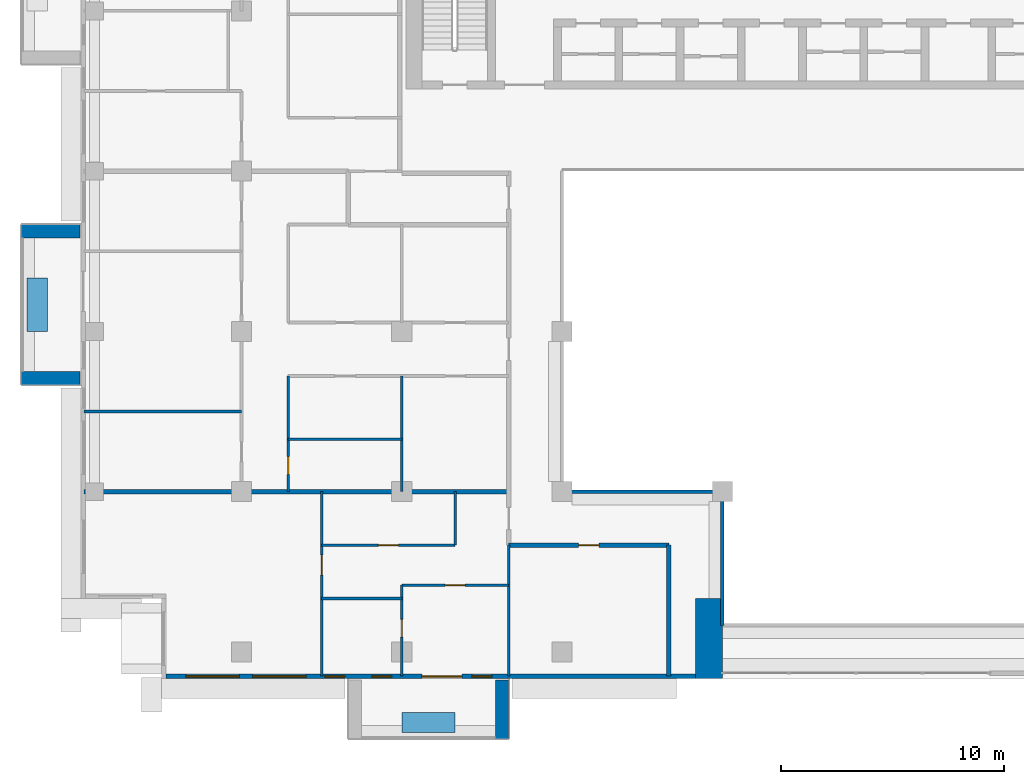
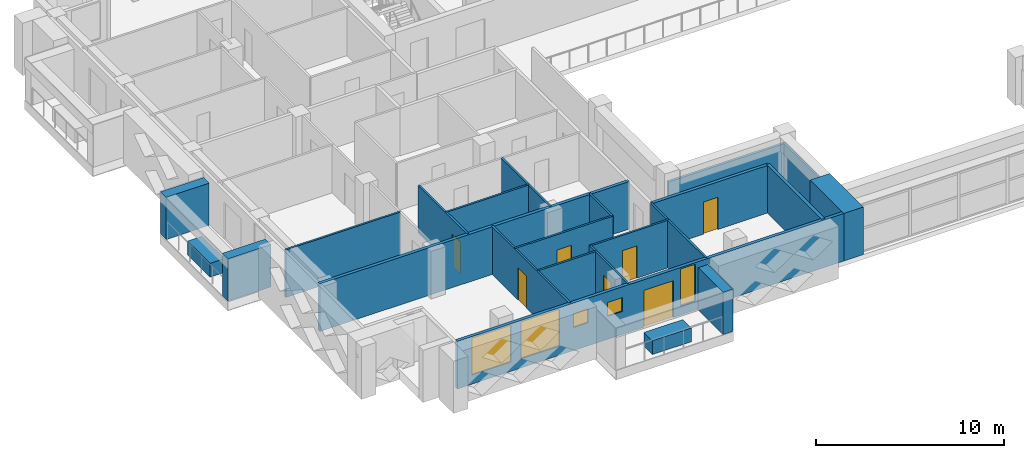
# One storey, part 6 of 20: 23 walls, 7 doors, 5 windows, 12 openings.
"""IFC4 building model written with IfcOpenShell, lengths in metres."""

from ifc_helpers import new_model, si_unit, direction, frame, frame_2d, origin, place, context, subcontext, project, spatial, rectangle, extrude, material, layer, layer_set, type_object, element, fill, save


model = new_model("IFC4")

# Units and contexts
model_context = context("Model", 3, precision=1e-05, world=origin(), true_north=direction((0.0, 1.0)))
body_context = subcontext(model_context, "Body", "Model", "MODEL_VIEW")
ifc_project = project(units=[si_unit("LENGTHUNIT", "METRE"), si_unit("AREAUNIT", "SQUARE_METRE"), si_unit("VOLUMEUNIT", "CUBIC_METRE"), si_unit("PLANEANGLEUNIT", "RADIAN"), si_unit("MASSUNIT", "GRAM", prefix="KILO")], contexts=[model_context])

# Site, building, storey
site_placement = place(None, origin())
site = spatial("IfcSite", under=ifc_project, at=site_placement, CompositionType="ELEMENT")
building_placement = place(site_placement, origin())
building = spatial("IfcBuilding", under=site, at=building_placement, Name="Saffron Iwan Residences", CompositionType="ELEMENT")
storey_placement = place(building_placement, frame((0.0, 0.0, 202.5)))
storey = spatial("IfcBuildingStorey", under=building, at=storey_placement, Name="L54", CompositionType="ELEMENT", Elevation=202.5)

# Walls
ifc_material_1 = material(Name="Fire-rated glazing", Category="glass")
ifc_layer_1 = layer(ifc_material_1, 0.14990234375)
ifc_layer_set_1 = layer_set([ifc_layer_1], Name="Fire-rated glazing")
wall_type_1 = type_object("IfcWallType", Name="Atrium glazed screen 150", PredefinedType="SOLIDWALL", material=ifc_layer_set_1)
wall_1_placement = place(storey_placement, frame((36.0, 48.0, 0.0), z_axis=(0.0, 0.0, 1.0), x_axis=(1.0, 0.0, 0.0)))
element("IfcWall", 1, at=wall_1_placement, inside=storey, type_object=wall_type_1, Name="W-L54-SCREEN-h48-36", PredefinedType="SOLIDWALL", context=body_context, shape_type="SweptSolid", body=[
    extrude(rectangle(XDim=7.199951171875, YDim=0.14990234375, at=frame_2d((3.60009765625, 0.0))), origin(), (0.0, 0.0, 1.0), 2.199951171875),
])
wall_2_placement = place(storey_placement, frame((43.199951171875, 42.0, 0.0), z_axis=(0.0, 0.0, 1.0), x_axis=(0.0, 1.0, 0.0)))
element("IfcWall", 2, at=wall_2_placement, inside=storey, type_object=wall_type_1, Name="W-L54-SCREEN-v43.2-42", PredefinedType="SOLIDWALL", context=body_context, shape_type="SweptSolid", body=[
    extrude(rectangle(XDim=6.0, YDim=0.14990234375, at=frame_2d((3.0, 0.0))), origin(), (0.0, 0.0, 1.0), 2.199951171875),
])
ifc_material_2 = material(Name="Concrete C50/60 white painted", Category="concrete")
ifc_layer_2 = layer(ifc_material_2, 0.60009765625)
ifc_layer_set_2 = layer_set([ifc_layer_2], Name="Concrete C50/60 white painted")
wall_type_2 = type_object("IfcWallType", Name="BALCONY FIN 600", PredefinedType="SOLIDWALL", material=ifc_layer_set_2)
for number, where, z_axis, x_axis, name in (
    (3, (14.35009765625, 59.699951171875, 0.0), (0.0, 0.0, 1.0), (-1.0, 0.0, 0.0), "Balcony fin L54 F8-1a"),
    (4, (14.35009765625, 53.10009765625, 0.0), (0.0, 0.0, 1.0), (-1.0, 0.0, 0.0), "Balcony fin L54 F8-1b"),
    (5, (33.300048828125, 39.550048828125, 0.0), (0.0, 0.0, 1.0), (0.0, -1.0, 0.0), "Balcony fin L54 11-0b"),
):
    element("IfcWall", number, at=place(storey_placement, frame(where, z_axis=z_axis, x_axis=x_axis)), inside=storey, type_object=wall_type_2, Name=name, PredefinedType="SOLIDWALL", context=body_context, shape_type="SweptSolid", body=[
        extrude(rectangle(XDim=2.650146484375, YDim=0.60009765625, at=frame_2d((1.3251953125, 0.0))), origin(), (0.0, 0.0, 1.0), 2.75),
    ])
ifc_material_3 = material(Name="Concrete C35/45 white painted", Category="concrete")
ifc_layer_3 = layer(ifc_material_3, 0.14990234375)
ifc_layer_set_3 = layer_set([ifc_layer_3], Name="Concrete C35/45 white painted")
wall_type_3 = type_object("IfcWallType", Name="BALCONY PLANTER", PredefinedType="SOLIDWALL", material=ifc_layer_set_3)
wall_3_placement = place(storey_placement, frame((12.425048828125, 57.60009765625, 0.0), z_axis=(0.0, 0.0, 1.0), x_axis=(0.0, -1.0, 0.0)))
element("IfcWall", 6, at=wall_3_placement, inside=storey, type_object=wall_type_3, Name="PLANTER L54 F8-1", PredefinedType="SOLIDWALL", context=body_context, shape_type="SweptSolid", body=[
    extrude(rectangle(XDim=2.400146484375, YDim=0.89990234375, at=frame_2d((1.2001953125, 0.0))), origin(), (0.0, 0.0, 1.0), 0.89990234375),
])
wall_4_placement = place(storey_placement, frame((28.800048828125, 37.625, 0.0), z_axis=(0.0, 0.0, 1.0), x_axis=(1.0, 0.0, 0.0)))
element("IfcWall", 7, at=wall_4_placement, inside=storey, type_object=wall_type_3, Name="PLANTER L54 11-0", PredefinedType="SOLIDWALL", context=body_context, shape_type="SweptSolid", body=[
    extrude(rectangle(XDim=2.39990234375, YDim=0.89990234375, at=frame_2d((1.199951171875, 0.0))), origin(), (0.0, 0.0, 1.0), 0.89990234375),
])

# Wall, openings, door, windows
ifc_material_4 = material(Name="Concrete C40/50", Category="concrete")
ifc_layer_4 = layer(ifc_material_4, 0.199951171875)
ifc_layer_set_4 = layer_set([ifc_layer_4], Name="Concrete C40/50")
wall_type_4 = type_object("IfcWallType", Name="EXTERNAL WALL 200", PredefinedType="SOLIDWALL", material=ifc_layer_set_4)
wall_5_placement = place(storey_placement, frame((18.199951171875, 39.699951171875, 0.0), z_axis=(0.0, 0.0, 1.0), x_axis=(1.0, 0.0, 0.0)))
wall_5 = element("IfcWall", 8, at=wall_5_placement, inside=storey, type_object=wall_type_4, Name="External wall L54 F11.0", PredefinedType="SOLIDWALL", context=body_context, shape_type="SweptSolid", body=[
    extrude(rectangle(XDim=23.800048828125, YDim=0.199951171875, at=frame_2d((11.89990234375, 0.0))), origin(), (0.0, 0.0, 1.0), 3.10009765625),
])
opening_1_placement = place(wall_5_placement, frame((11.5, 0.0, 0.0)))
opening_1 = element("IfcOpeningElement", 9, at=opening_1_placement, cuts=wall_5, Name="Opening BD1", PredefinedType="OPENING", context=body_context, shape_type="SweptSolid", body=[
    extrude(rectangle(XDim=1.800048828125, YDim=2.39990234375, at=frame_2d((0.89990234375, 1.199951171875))), frame((0.0, 0.10986328125, 0.0), z_axis=(0.0, -1.0, 0.0), x_axis=(1.0, 0.0, 0.0)), (0.0, 0.0, 1.0), 0.219970703125),
])
opening_2_placement = place(wall_5_placement, frame((0.89990234375, 0.0, 0.60009765625)))
opening_2 = element("IfcOpeningElement", 10, at=opening_2_placement, cuts=wall_5, Name="Opening W1", PredefinedType="OPENING", context=body_context, shape_type="SweptSolid", body=[
    extrude(rectangle(XDim=2.39990234375, YDim=2.39990234375, at=frame_2d((1.199951171875, 1.199951171875))), frame((0.0, 0.10986328125, 0.0), z_axis=(0.0, -1.0, 0.0), x_axis=(1.0, 0.0, 0.0)), (0.0, 0.0, 1.0), 0.219970703125),
])
opening_3_placement = place(wall_5_placement, frame((3.89990234375, 0.0, 0.60009765625)))
opening_3 = element("IfcOpeningElement", 11, at=opening_3_placement, cuts=wall_5, Name="Opening W1", PredefinedType="OPENING", context=body_context, shape_type="SweptSolid", body=[
    extrude(rectangle(XDim=2.39990234375, YDim=2.39990234375, at=frame_2d((1.199951171875, 1.199951171875))), frame((0.0, 0.10986328125, 0.0), z_axis=(0.0, -1.0, 0.0), x_axis=(1.0, 0.0, 0.0)), (0.0, 0.0, 1.0), 0.219970703125),
])
opening_4_placement = place(wall_5_placement, frame((13.75, 0.0, 0.60009765625)))
opening_4 = element("IfcOpeningElement", 12, at=opening_4_placement, cuts=wall_5, Name="Opening W10", PredefinedType="OPENING", context=body_context, shape_type="SweptSolid", body=[
    extrude(rectangle(XDim=0.89990234375, YDim=2.39990234375, at=frame_2d((0.449951171875, 1.199951171875))), frame((0.0, 0.10986328125, 0.0), z_axis=(0.0, -1.0, 0.0), x_axis=(1.0, 0.0, 0.0)), (0.0, 0.0, 1.0), 0.219970703125),
])
opening_5_placement = place(wall_5_placement, frame((7.14990234375, 0.0, 1.5)))
opening_5 = element("IfcOpeningElement", 13, at=opening_5_placement, cuts=wall_5, Name="Opening W6", PredefinedType="OPENING", context=body_context, shape_type="SweptSolid", body=[
    extrude(rectangle(XDim=0.89990234375, YDim=0.89990234375, at=frame_2d((0.449951171875, 0.449951171875))), frame((0.0, 0.10986328125, 0.0), z_axis=(0.0, -1.0, 0.0), x_axis=(1.0, 0.0, 0.0)), (0.0, 0.0, 1.0), 0.219970703125),
])
opening_6_placement = place(wall_5_placement, frame((9.25, 0.0, 1.5)))
opening_6 = element("IfcOpeningElement", 14, at=opening_6_placement, cuts=wall_5, Name="Opening W6", PredefinedType="OPENING", context=body_context, shape_type="SweptSolid", body=[
    extrude(rectangle(XDim=0.89990234375, YDim=0.89990234375, at=frame_2d((0.449951171875, 0.449951171875))), frame((0.0, 0.10986328125, 0.0), z_axis=(0.0, -1.0, 0.0), x_axis=(1.0, 0.0, 0.0)), (0.0, 0.0, 1.0), 0.219970703125),
])
ifc_material_5 = material(Name="Clear glass, laminated double glazed", Category="glass")
door_type_1 = type_object("IfcDoorType", Name="BALCONY DOOR 1800 x 2400", OperationType="DOUBLE_DOOR_SLIDING", PredefinedType="DOOR", material=ifc_material_5)
door_1_placement = place(opening_1_placement, origin())
door_1 = element("IfcDoor", 15, at=door_1_placement, inside=storey, type_object=door_type_1, Name="Balcony door L54 F11.0", OperationType="DOUBLE_DOOR_SLIDING", OverallHeight=2.39990234375, OverallWidth=1.800048828125, PredefinedType="DOOR", context=body_context, shape_type="SweptSolid", body=[
    extrude(rectangle(XDim=1.800048828125, YDim=2.39990234375, at=frame_2d((0.89990234375, 1.199951171875))), frame((0.0, 0.02490234375, 0.0), z_axis=(0.0, -1.0, 0.0), x_axis=(1.0, 0.0, 0.0)), (0.0, 0.0, 1.0), 0.050048828125),
])
fill(opening_1, door_1)
window_type_1 = type_object("IfcWindowType", Name="WINDOW 2400 x 2400", PartitioningType="DOUBLE_PANEL_VERTICAL", PredefinedType="WINDOW", material=ifc_material_5)
window_1_placement = place(opening_2_placement, origin())
window_1 = element("IfcWindow", 16, at=window_1_placement, inside=storey, type_object=window_type_1, Name="Window L54 F11.1", OverallHeight=2.39990234375, OverallWidth=2.39990234375, PartitioningType="DOUBLE_PANEL_VERTICAL", PredefinedType="WINDOW", context=body_context, shape_type="SweptSolid", body=[
    extrude(rectangle(XDim=2.39990234375, YDim=2.39990234375, at=frame_2d((1.199951171875, 1.199951171875))), frame((0.0, 0.030029296875, 0.0), z_axis=(0.0, -1.0, 0.0), x_axis=(1.0, 0.0, 0.0)), (0.0, 0.0, 1.0), 0.06005859375),
])
fill(opening_2, window_1)
window_2_placement = place(opening_3_placement, origin())
window_2 = element("IfcWindow", 17, at=window_2_placement, inside=storey, type_object=window_type_1, Name="Window L54 F11.2", OverallHeight=2.39990234375, OverallWidth=2.39990234375, PartitioningType="DOUBLE_PANEL_VERTICAL", PredefinedType="WINDOW", context=body_context, shape_type="SweptSolid", body=[
    extrude(rectangle(XDim=2.39990234375, YDim=2.39990234375, at=frame_2d((1.199951171875, 1.199951171875))), frame((0.0, 0.030029296875, 0.0), z_axis=(0.0, -1.0, 0.0), x_axis=(1.0, 0.0, 0.0)), (0.0, 0.0, 1.0), 0.06005859375),
])
fill(opening_3, window_2)
window_type_2 = type_object("IfcWindowType", Name="WINDOW 900 x 2400", PartitioningType="SINGLE_PANEL", PredefinedType="WINDOW", material=ifc_material_5)
window_3_placement = place(opening_4_placement, origin())
window_3 = element("IfcWindow", 18, at=window_3_placement, inside=storey, type_object=window_type_2, Name="Window L54 F11.3", OverallHeight=2.39990234375, OverallWidth=0.89990234375, PartitioningType="SINGLE_PANEL", PredefinedType="WINDOW", context=body_context, shape_type="SweptSolid", body=[
    extrude(rectangle(XDim=0.89990234375, YDim=2.39990234375, at=frame_2d((0.449951171875, 1.199951171875))), frame((0.0, 0.030029296875, 0.0), z_axis=(0.0, -1.0, 0.0), x_axis=(1.0, 0.0, 0.0)), (0.0, 0.0, 1.0), 0.06005859375),
])
fill(opening_4, window_3)
window_type_3 = type_object("IfcWindowType", Name="WINDOW 900 x 900 BATH", PartitioningType="SINGLE_PANEL", PredefinedType="WINDOW", material=ifc_material_5)
window_4_placement = place(opening_5_placement, origin())
window_4 = element("IfcWindow", 19, at=window_4_placement, inside=storey, type_object=window_type_3, Name="Window L54 F11.4", OverallHeight=0.89990234375, OverallWidth=0.89990234375, PartitioningType="SINGLE_PANEL", PredefinedType="WINDOW", context=body_context, shape_type="SweptSolid", body=[
    extrude(rectangle(XDim=0.89990234375, YDim=0.89990234375, at=frame_2d((0.449951171875, 0.449951171875))), frame((0.0, 0.030029296875, 0.0), z_axis=(0.0, -1.0, 0.0), x_axis=(1.0, 0.0, 0.0)), (0.0, 0.0, 1.0), 0.06005859375),
])
fill(opening_5, window_4)
window_5_placement = place(opening_6_placement, origin())
window_5 = element("IfcWindow", 20, at=window_5_placement, inside=storey, type_object=window_type_3, Name="Window L54 F11.5", OverallHeight=0.89990234375, OverallWidth=0.89990234375, PartitioningType="SINGLE_PANEL", PredefinedType="WINDOW", context=body_context, shape_type="SweptSolid", body=[
    extrude(rectangle(XDim=0.89990234375, YDim=0.89990234375, at=frame_2d((0.449951171875, 0.449951171875))), frame((0.0, 0.030029296875, 0.0), z_axis=(0.0, -1.0, 0.0), x_axis=(1.0, 0.0, 0.0)), (0.0, 0.0, 1.0), 0.06005859375),
])
fill(opening_6, window_5)

# Walls
ifc_material_6 = material(Name="Fire-rated gypsum board wall")
ifc_layer_5 = layer(ifc_material_6, 0.199951171875)
ifc_layer_set_5 = layer_set([ifc_layer_5], Name="Fire-rated gypsum board wall")
wall_type_5 = type_object("IfcWallType", Name="Flat demising wall 200", PredefinedType="SOLIDWALL", material=ifc_layer_set_5)
wall_6_placement = place(storey_placement, frame((14.52490234375, 48.0, 0.0), z_axis=(0.0, 0.0, 1.0), x_axis=(1.0, 0.0, 0.0)))
element("IfcWall", 21, at=wall_6_placement, inside=storey, type_object=wall_type_5, Name="W-L54-DEMISE-h48-14.525", PredefinedType="SOLIDWALL", context=body_context, shape_type="SweptSolid", body=[
    extrude(rectangle(XDim=19.0751953125, YDim=0.199951171875, at=frame_2d((9.53759765625, 0.0))), origin(), (0.0, 0.0, 1.0), 3.10009765625),
])
ifc_material_7 = material(Name="Gypsum board partition")
ifc_layer_6 = layer(ifc_material_7, 0.1201171875)
ifc_layer_set_6 = layer_set([ifc_layer_6], Name="Gypsum board partition")
wall_type_6 = type_object("IfcWallType", Name="Flat partition 120", PredefinedType="PARTITIONING", material=ifc_layer_set_6)
wall_7_placement = place(storey_placement, frame((25.199951171875, 43.199951171875, 0.0), z_axis=(0.0, 0.0, 1.0), x_axis=(1.0, 0.0, 0.0)))
element("IfcWall", 22, at=wall_7_placement, inside=storey, type_object=wall_type_6, Name="W-L54-PART-h43.2-25.2", PredefinedType="PARTITIONING", context=body_context, shape_type="SweptSolid", body=[
    extrude(rectangle(XDim=3.60009765625, YDim=0.1201171875, at=frame_2d((1.800048828125, 0.0))), origin(), (0.0, 0.0, 1.0), 3.10009765625),
])

# Wall, opening, door
wall_8_placement = place(storey_placement, frame((28.800048828125, 43.800048828125, 0.0), z_axis=(0.0, 0.0, 1.0), x_axis=(1.0, 0.0, 0.0)))
wall_8 = element("IfcWall", 23, at=wall_8_placement, inside=storey, type_object=wall_type_6, Name="W-L54-PART-h43.8-28.8", PredefinedType="PARTITIONING", context=body_context, shape_type="SweptSolid", body=[
    extrude(rectangle(XDim=4.800048828125, YDim=0.1201171875, at=frame_2d((2.39990234375, 0.0))), origin(), (0.0, 0.0, 1.0), 3.10009765625),
])
opening_7_placement = place(wall_8_placement, frame((1.949951171875, 0.0, 0.0)))
opening_7 = element("IfcOpeningElement", 24, at=opening_7_placement, cuts=wall_8, Name="Opening FD2", PredefinedType="OPENING", context=body_context, shape_type="SweptSolid", body=[
    extrude(rectangle(XDim=0.89990234375, YDim=2.10009765625, at=frame_2d((0.449951171875, 1.050048828125))), frame((0.0, 0.070068359375, 0.0), z_axis=(0.0, -1.0, 0.0), x_axis=(1.0, 0.0, 0.0)), (0.0, 0.0, 1.0), 0.14013671875),
])
ifc_material_8 = material(Name="Timber door", Category="wood")
door_type_2 = type_object("IfcDoorType", Name="Flat door 900", OperationType="NOTDEFINED", PredefinedType="DOOR", material=ifc_material_8)
door_2_placement = place(opening_7_placement, origin())
door_2 = element("IfcDoor", 25, at=door_2_placement, inside=storey, type_object=door_type_2, Name="Door L54-003", OperationType="SINGLE_SWING_LEFT", OverallHeight=2.10009765625, OverallWidth=0.89990234375, PredefinedType="DOOR", context=body_context, shape_type="SweptSolid", body=[
    extrude(rectangle(XDim=0.89990234375, YDim=2.10009765625, at=frame_2d((0.449951171875, 1.050048828125))), frame((0.0, 0.02490234375, 0.0), z_axis=(0.0, -1.0, 0.0), x_axis=(1.0, 0.0, 0.0)), (0.0, 0.0, 1.0), 0.050048828125),
])
fill(opening_7, door_2)

wall_9_placement = place(storey_placement, frame((25.199951171875, 45.60009765625, 0.0), z_axis=(0.0, 0.0, 1.0), x_axis=(1.0, 0.0, 0.0)))
wall_9 = element("IfcWall", 26, at=wall_9_placement, inside=storey, type_object=wall_type_6, Name="W-L54-PART-h45.6-25.2", PredefinedType="PARTITIONING", context=body_context, shape_type="SweptSolid", body=[
    extrude(rectangle(XDim=6.0, YDim=0.1201171875, at=frame_2d((3.0, 0.0))), origin(), (0.0, 0.0, 1.0), 3.10009765625),
])
opening_8_placement = place(wall_9_placement, frame((2.550048828125, 0.0, 0.0)))
opening_8 = element("IfcOpeningElement", 27, at=opening_8_placement, cuts=wall_9, Name="Opening FD2", PredefinedType="OPENING", context=body_context, shape_type="SweptSolid", body=[
    extrude(rectangle(XDim=0.89990234375, YDim=2.10009765625, at=frame_2d((0.449951171875, 1.050048828125))), frame((0.0, 0.070068359375, 0.0), z_axis=(0.0, -1.0, 0.0), x_axis=(1.0, 0.0, 0.0)), (0.0, 0.0, 1.0), 0.14013671875),
])
door_3_placement = place(opening_8_placement, origin())
door_3 = element("IfcDoor", 28, at=door_3_placement, inside=storey, type_object=door_type_2, Name="Door L54-005", OperationType="SINGLE_SWING_LEFT", OverallHeight=2.10009765625, OverallWidth=0.89990234375, PredefinedType="DOOR", context=body_context, shape_type="SweptSolid", body=[
    extrude(rectangle(XDim=0.89990234375, YDim=2.10009765625, at=frame_2d((0.449951171875, 1.050048828125))), frame((0.0, 0.02490234375, 0.0), z_axis=(0.0, -1.0, 0.0), x_axis=(1.0, 0.0, 0.0)), (0.0, 0.0, 1.0), 0.050048828125),
])
fill(opening_8, door_3)

# Walls
wall_10_placement = place(storey_placement, frame((23.699951171875, 50.35009765625, 0.0), z_axis=(0.0, 0.0, 1.0), x_axis=(1.0, 0.0, 0.0)))
element("IfcWall", 29, at=wall_10_placement, inside=storey, type_object=wall_type_6, Name="W-L54-PART-h50.35-23.7", PredefinedType="PARTITIONING", context=body_context, shape_type="SweptSolid", body=[
    extrude(rectangle(XDim=5.10009765625, YDim=0.1201171875, at=frame_2d((2.550048828125, 0.0))), origin(), (0.0, 0.0, 1.0), 3.10009765625),
])
wall_11_placement = place(storey_placement, frame((14.52490234375, 51.60009765625, 0.0), z_axis=(0.0, 0.0, 1.0), x_axis=(1.0, 0.0, 0.0)))
element("IfcWall", 30, at=wall_11_placement, inside=storey, type_object=wall_type_6, Name="W-L54-PART-h51.6-14.525", PredefinedType="PARTITIONING", context=body_context, shape_type="SweptSolid", body=[
    extrude(rectangle(XDim=7.0751953125, YDim=0.1201171875, at=frame_2d((3.53759765625, 0.0))), origin(), (0.0, 0.0, 1.0), 3.10009765625),
])

# Wall, opening, door
wall_12_placement = place(storey_placement, frame((23.699951171875, 48.0, 0.0), z_axis=(0.0, 0.0, 1.0), x_axis=(0.0, 1.0, 0.0)))
wall_12 = element("IfcWall", 31, at=wall_12_placement, inside=storey, type_object=wall_type_6, Name="W-L54-PART-v23.7-48", PredefinedType="PARTITIONING", context=body_context, shape_type="SweptSolid", body=[
    extrude(rectangle(XDim=5.199951171875, YDim=0.1201171875, at=frame_2d((2.60009765625, 0.0))), origin(), (0.0, 0.0, 1.0), 3.10009765625),
])
opening_9_placement = place(wall_12_placement, frame((0.77490234375, 0.0, 0.0)))
opening_9 = element("IfcOpeningElement", 32, at=opening_9_placement, cuts=wall_12, Name="Opening FD3", PredefinedType="OPENING", context=body_context, shape_type="SweptSolid", body=[
    extrude(rectangle(XDim=0.800048828125, YDim=2.10009765625, at=frame_2d((0.39990234375, 1.050048828125))), frame((0.0, 0.070068359375, 0.0), z_axis=(0.0, -1.0, 0.0), x_axis=(1.0, 0.0, 0.0)), (0.0, 0.0, 1.0), 0.14013671875),
])
door_type_3 = type_object("IfcDoorType", Name="Bathroom door 800", OperationType="NOTDEFINED", PredefinedType="DOOR", material=ifc_material_8)
door_4_placement = place(opening_9_placement, origin())
door_4 = element("IfcDoor", 33, at=door_4_placement, inside=storey, type_object=door_type_3, Name="Door L54-011", OperationType="SINGLE_SWING_LEFT", OverallHeight=2.10009765625, OverallWidth=0.800048828125, PredefinedType="DOOR", context=body_context, shape_type="SweptSolid", body=[
    extrude(rectangle(XDim=0.800048828125, YDim=2.10009765625, at=frame_2d((0.39990234375, 1.050048828125))), frame((0.0, 0.02490234375, 0.0), z_axis=(0.0, -1.0, 0.0), x_axis=(1.0, 0.0, 0.0)), (0.0, 0.0, 1.0), 0.050048828125),
])
fill(opening_9, door_4)

wall_13_placement = place(storey_placement, frame((25.199951171875, 39.72509765625, 0.0), z_axis=(0.0, 0.0, 1.0), x_axis=(0.0, 1.0, 0.0)))
wall_13 = element("IfcWall", 34, at=wall_13_placement, inside=storey, type_object=wall_type_6, Name="W-L54-PART-v25.2-39.725", PredefinedType="PARTITIONING", context=body_context, shape_type="SweptSolid", body=[
    extrude(rectangle(XDim=8.27490234375, YDim=0.1201171875, at=frame_2d((4.137451171875, 0.0))), origin(), (0.0, 0.0, 1.0), 3.10009765625),
])
opening_10_placement = place(wall_13_placement, frame((4.52490234375, 0.0, 0.0)))
opening_10 = element("IfcOpeningElement", 35, at=opening_10_placement, cuts=wall_13, Name="Opening FD2", PredefinedType="OPENING", context=body_context, shape_type="SweptSolid", body=[
    extrude(rectangle(XDim=0.89990234375, YDim=2.10009765625, at=frame_2d((0.449951171875, 1.050048828125))), frame((0.0, 0.070068359375, 0.0), z_axis=(0.0, -1.0, 0.0), x_axis=(1.0, 0.0, 0.0)), (0.0, 0.0, 1.0), 0.14013671875),
])
door_5_placement = place(opening_10_placement, origin())
door_5 = element("IfcDoor", 36, at=door_5_placement, inside=storey, type_object=door_type_2, Name="Door L54-002", OperationType="SINGLE_SWING_LEFT", OverallHeight=2.10009765625, OverallWidth=0.89990234375, PredefinedType="DOOR", context=body_context, shape_type="SweptSolid", body=[
    extrude(rectangle(XDim=0.89990234375, YDim=2.10009765625, at=frame_2d((0.449951171875, 1.050048828125))), frame((0.0, 0.02490234375, 0.0), z_axis=(0.0, -1.0, 0.0), x_axis=(1.0, 0.0, 0.0)), (0.0, 0.0, 1.0), 0.050048828125),
])
fill(opening_10, door_5)

wall_14_placement = place(storey_placement, frame((28.800048828125, 39.72509765625, 0.0), z_axis=(0.0, 0.0, 1.0), x_axis=(0.0, 1.0, 0.0)))
wall_14 = element("IfcWall", 37, at=wall_14_placement, inside=storey, type_object=wall_type_6, Name="W-L54-PART-v28.8-39.725", PredefinedType="PARTITIONING", context=body_context, shape_type="SweptSolid", body=[
    extrude(rectangle(XDim=4.074951171875, YDim=0.1201171875, at=frame_2d((2.03759765625, 0.0))), origin(), (0.0, 0.0, 1.0), 3.10009765625),
])
opening_11_placement = place(wall_14_placement, frame((1.737548828125, 0.0, 0.0)))
opening_11 = element("IfcOpeningElement", 38, at=opening_11_placement, cuts=wall_14, Name="Opening FD3", PredefinedType="OPENING", context=body_context, shape_type="SweptSolid", body=[
    extrude(rectangle(XDim=0.800048828125, YDim=2.10009765625, at=frame_2d((0.39990234375, 1.050048828125))), frame((0.0, 0.070068359375, 0.0), z_axis=(0.0, -1.0, 0.0), x_axis=(1.0, 0.0, 0.0)), (0.0, 0.0, 1.0), 0.14013671875),
])
door_6_placement = place(opening_11_placement, origin())
door_6 = element("IfcDoor", 39, at=door_6_placement, inside=storey, type_object=door_type_3, Name="Door L54-004", OperationType="SINGLE_SWING_LEFT", OverallHeight=2.10009765625, OverallWidth=0.800048828125, PredefinedType="DOOR", context=body_context, shape_type="SweptSolid", body=[
    extrude(rectangle(XDim=0.800048828125, YDim=2.10009765625, at=frame_2d((0.39990234375, 1.050048828125))), frame((0.0, 0.02490234375, 0.0), z_axis=(0.0, -1.0, 0.0), x_axis=(1.0, 0.0, 0.0)), (0.0, 0.0, 1.0), 0.050048828125),
])
fill(opening_11, door_6)

# Walls
wall_15_placement = place(storey_placement, frame((28.800048828125, 48.0, 0.0), z_axis=(0.0, 0.0, 1.0), x_axis=(0.0, 1.0, 0.0)))
element("IfcWall", 40, at=wall_15_placement, inside=storey, type_object=wall_type_6, Name="W-L54-PART-v28.8-48", PredefinedType="PARTITIONING", context=body_context, shape_type="SweptSolid", body=[
    extrude(rectangle(XDim=5.199951171875, YDim=0.1201171875, at=frame_2d((2.60009765625, 0.0))), origin(), (0.0, 0.0, 1.0), 3.10009765625),
])
wall_16_placement = place(storey_placement, frame((31.199951171875, 45.60009765625, 0.0), z_axis=(0.0, 0.0, 1.0), x_axis=(0.0, 1.0, 0.0)))
element("IfcWall", 41, at=wall_16_placement, inside=storey, type_object=wall_type_6, Name="W-L54-PART-v31.2-45.6", PredefinedType="PARTITIONING", context=body_context, shape_type="SweptSolid", body=[
    extrude(rectangle(XDim=2.39990234375, YDim=0.1201171875, at=frame_2d((1.199951171875, 0.0))), origin(), (0.0, 0.0, 1.0), 3.10009765625),
])
wall_17_placement = place(storey_placement, frame((33.60009765625, 39.72509765625, 0.0), z_axis=(0.0, 0.0, 1.0), x_axis=(0.0, 1.0, 0.0)))
element("IfcWall", 42, at=wall_17_placement, inside=storey, type_object=wall_type_6, Name="W-L54-PART-v33.6-39.725", PredefinedType="PARTITIONING", context=body_context, shape_type="SweptSolid", body=[
    extrude(rectangle(XDim=5.875, YDim=0.1201171875, at=frame_2d((2.9375, 0.0))), origin(), (0.0, 0.0, 1.0), 3.10009765625),
])

# Wall, opening, door
ifc_layer_7 = layer(ifc_material_6, 0.199951171875)
ifc_layer_set_7 = layer_set([ifc_layer_7], Name="Fire-rated gypsum board wall")
wall_type_7 = type_object("IfcWallType", Name="Gallery wall 200", PredefinedType="SOLIDWALL", material=ifc_layer_set_7)
wall_18_placement = place(storey_placement, frame((33.60009765625, 45.60009765625, 0.0), z_axis=(0.0, 0.0, 1.0), x_axis=(1.0, 0.0, 0.0)))
wall_18 = element("IfcWall", 43, at=wall_18_placement, inside=storey, type_object=wall_type_7, Name="W-L54-CORR-h45.6-33.6", PredefinedType="SOLIDWALL", context=body_context, shape_type="SweptSolid", body=[
    extrude(rectangle(XDim=7.199951171875, YDim=0.199951171875, at=frame_2d((3.60009765625, 0.0))), origin(), (0.0, 0.0, 1.0), 3.10009765625),
])
opening_12_placement = place(wall_18_placement, frame((3.14990234375, 0.0, 0.0)))
opening_12 = element("IfcOpeningElement", 44, at=opening_12_placement, cuts=wall_18, Name="Opening FD2", PredefinedType="OPENING", context=body_context, shape_type="SweptSolid", body=[
    extrude(rectangle(XDim=0.89990234375, YDim=2.10009765625, at=frame_2d((0.449951171875, 1.050048828125))), frame((0.0, 0.10986328125, 0.0), z_axis=(0.0, -1.0, 0.0), x_axis=(1.0, 0.0, 0.0)), (0.0, 0.0, 1.0), 0.219970703125),
])
door_7_placement = place(opening_12_placement, origin())
door_7 = element("IfcDoor", 45, at=door_7_placement, inside=storey, type_object=door_type_2, Name="Door L54-006", OperationType="SINGLE_SWING_LEFT", OverallHeight=2.10009765625, OverallWidth=0.89990234375, PredefinedType="DOOR", context=body_context, shape_type="SweptSolid", body=[
    extrude(rectangle(XDim=0.89990234375, YDim=2.10009765625, at=frame_2d((0.449951171875, 1.050048828125))), frame((0.0, 0.02490234375, 0.0), z_axis=(0.0, -1.0, 0.0), x_axis=(1.0, 0.0, 0.0)), (0.0, 0.0, 1.0), 0.050048828125),
])
fill(opening_12, door_7)

# Walls
wall_19_placement = place(storey_placement, frame((40.800048828125, 39.72509765625, 0.0), z_axis=(0.0, 0.0, 1.0), x_axis=(0.0, 1.0, 0.0)))
element("IfcWall", 46, at=wall_19_placement, inside=storey, type_object=wall_type_7, Name="W-L54-CORR-v40.8-39.725", PredefinedType="SOLIDWALL", context=body_context, shape_type="SweptSolid", body=[
    extrude(rectangle(XDim=5.875, YDim=0.199951171875, at=frame_2d((2.9375, 0.0))), origin(), (0.0, 0.0, 1.0), 3.10009765625),
])
ifc_material_9 = material(Name="Concrete C50/60", Category="concrete")
ifc_layer_8 = layer(ifc_material_9, 1.199951171875)
ifc_layer_set_8 = layer_set([ifc_layer_8], Name="Concrete C50/60")
wall_type_8 = type_object("IfcWallType", Name="WALL IWAN PIER 1200 C50/60 3100 HIGH", PredefinedType="SHEAR", material=ifc_layer_set_8)
wall_20_placement = place(storey_placement, frame((42.60009765625, 39.60009765625, 0.0), z_axis=(0.0, 0.0, 1.0), x_axis=(0.0, 1.0, 0.0)))
element("IfcWall", 47, at=wall_20_placement, inside=storey, type_object=wall_type_8, Name="IWAN PIER", PredefinedType="SHEAR", context=body_context, shape_type="SweptSolid", body=[
    extrude(rectangle(XDim=3.599853515625, YDim=1.199951171875, at=frame_2d((1.7998046875, 0.0))), origin(), (0.0, 0.0, 1.0), 3.10009765625),
])

save(model, "model.ifc")
